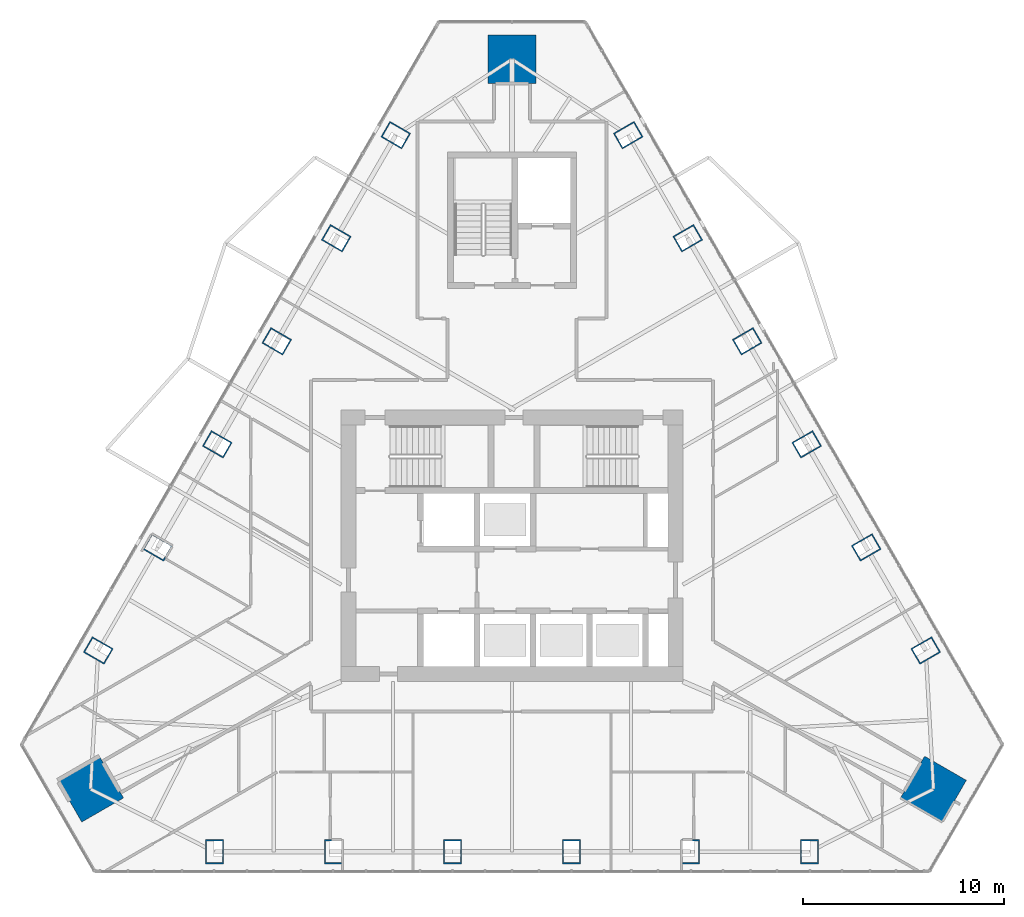
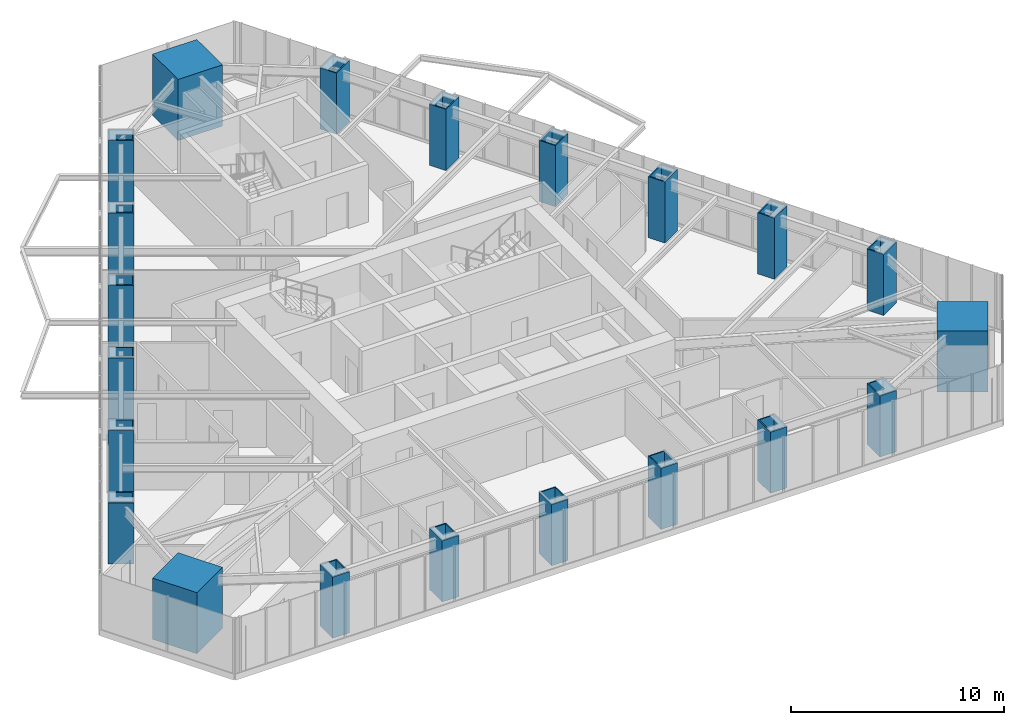
# One storey, part 1 of 19: 21 columns.
"""IFC4 building model written with IfcOpenShell, lengths in metres."""

from ifc_helpers import new_model, si_unit, direction, frame, origin, origin_2d, place, context, subcontext, project, spatial, rectangle, hollow_rectangle, extrude, material, material_profile, profile_set, type_object, element, save


model = new_model("IFC4")

# Units and contexts
model_context = context("Model", 3, precision=1e-05, world=origin(), true_north=direction((0.0, 1.0)))
body_context = subcontext(model_context, "Body", "Model", "MODEL_VIEW")
ifc_project = project(units=[si_unit("LENGTHUNIT", "METRE"), si_unit("AREAUNIT", "SQUARE_METRE"), si_unit("VOLUMEUNIT", "CUBIC_METRE"), si_unit("PLANEANGLEUNIT", "RADIAN"), si_unit("MASSUNIT", "GRAM", prefix="KILO")], contexts=[model_context])

# Site, building, storey
site_placement = place(None, origin())
site = spatial("IfcSite", under=ifc_project, at=site_placement, CompositionType="ELEMENT")
building_placement = place(site_placement, origin())
building = spatial("IfcBuilding", under=site, at=building_placement, Name="Firuza Gate Tower and Library", CompositionType="ELEMENT")
storey_placement = place(building_placement, frame((0.0, 0.0, 316.10009765625)))
storey = spatial("IfcBuildingStorey", under=building, at=storey_placement, Name="L77", CompositionType="ELEMENT", Elevation=316.10009765625)

# Columns
ifc_material_1 = material(Name="Steel S355", Category="steel")
ifc_material_profile_1 = material_profile(ifc_material_1, hollow_rectangle(XDim=0.89990234375, YDim=1.199951171875, WallThickness=0.06005859375, at=origin_2d()))
ifc_profile_set_1 = profile_set([ifc_material_profile_1], Name="Steel S355")
column_type_1 = type_object("IfcColumnType", Name="BU1200x900x60 Composite box column", PredefinedType="COLUMN", material=ifc_profile_set_1)
for number, where, z_axis, x_axis, name in (
    (1, (60.199951171875, 59.7802734375, -0.00048828125), (0.0, 0.0, 1.0), (1.0, 0.0, 0.0), "Column S1 L77"),
    (2, (66.1201171875, 59.7802734375, -0.00048828125), (0.0, 0.0, 1.0), (1.0, 0.0, 0.0), "Column S2 L77"),
    (3, (72.0400390625, 59.7802734375, -0.00048828125), (0.0, 0.0, 1.0), (1.0, 0.0, 0.0), "Column S3 L77"),
    (4, (77.9599609375, 59.7802734375, -0.00048828125), (0.0, 0.0, 1.0), (1.0, 0.0, 0.0), "Column S4 L77"),
    (5, (83.8798828125, 59.7802734375, -0.00048828125), (0.0, 0.0, 1.0), (1.0, 0.0, 0.0), "Column S5 L77"),
    (6, (89.800048828125, 59.7802734375, -0.00048828125), (0.0, 0.0, 1.0), (1.0, 0.0, 0.0), "Column S6 L77"),
    (7, (95.58056640625, 69.792724609375, -0.00048828125), (0.0, 0.0, 1.0), (-0.5, 0.866025403784, 0.0), "Column E1 L77"),
    (8, (92.62060546875, 74.91943359375, -0.00048828125), (0.0, 0.0, 1.0), (-0.5, 0.866025403784, 0.0), "Column E2 L77"),
    (9, (89.66064453125, 80.04638671875, -0.00048828125), (0.0, 0.0, 1.0), (-0.5, 0.866025403784, 0.0), "Column E3 L77"),
    (10, (86.70068359375, 85.17333984375, -0.00048828125), (0.0, 0.0, 1.0), (-0.5, 0.866025403784, 0.0), "Column E4 L77"),
    (11, (83.740478515625, 90.300048828125, -0.00048828125), (0.0, 0.0, 1.0), (-0.5, 0.866025403784, 0.0), "Column E5 L77"),
    (12, (80.780517578125, 95.427001953125, -0.00048828125), (0.0, 0.0, 1.0), (-0.5, 0.866025403784, 0.0), "Column E6 L77"),
    (13, (69.219482421875, 95.427001953125, -0.00048828125), (0.0, 0.0, 1.0), (-0.5, -0.866025403784, 0.0), "Column W1 L77"),
    (14, (66.259521484375, 90.300048828125, -0.00048828125), (0.0, 0.0, 1.0), (-0.5, -0.866025403784, 0.0), "Column W2 L77"),
    (15, (63.29931640625, 85.17333984375, -0.00048828125), (0.0, 0.0, 1.0), (-0.5, -0.866025403784, 0.0), "Column W3 L77"),
    (16, (60.33935546875, 80.04638671875, -0.00048828125), (0.0, 0.0, 1.0), (-0.5, -0.866025403784, 0.0), "Column W4 L77"),
    (17, (57.37939453125, 74.91943359375, -0.00048828125), (0.0, 0.0, 1.0), (-0.5, -0.866025403784, 0.0), "Column W5 L77"),
    (18, (54.41943359375, 69.792724609375, -0.00048828125), (0.0, 0.0, 1.0), (-0.5, -0.866025403784, 0.0), "Column W6 L77"),
):
    element("IfcColumn", number, at=place(storey_placement, frame(where, z_axis=z_axis, x_axis=x_axis)), inside=storey, type_object=column_type_1, Name=name, PredefinedType="COLUMN", context=body_context, shape_type="SweptSolid", body=[
        extrude(hollow_rectangle(XDim=0.89990234375, YDim=1.199951171875, WallThickness=0.06005859375, at=origin_2d()), origin(), (0.0, 0.0, 1.0), 3.50048828125),
    ])
ifc_material_2 = material(Name="Concrete C80/95", Category="concrete")
ifc_material_profile_2 = material_profile(ifc_material_2, rectangle(XDim=2.39990234375, YDim=2.39990234375, at=origin_2d()))
ifc_profile_set_2 = profile_set([ifc_material_profile_2], Name="Concrete C80/95")
column_type_2 = type_object("IfcColumnType", Name="Mega column 2400x2400 C80/95", PredefinedType="COLUMN", material=ifc_profile_set_2)
for number, where, z_axis, x_axis, name in (
    (19, (95.961181640625, 62.898193359375, 0.0), (0.0, 0.0, 1.0), (0.5, 0.866025403784, 0.0), "Mega column SE L77"),
    (20, (75.0, 99.203857421875, 0.0), (0.0, 0.0, 1.0), (-1.0, 0.0, 0.0), "Mega column N L77"),
    (21, (54.038818359375, 62.898193359375, 0.0), (0.0, 0.0, 1.0), (0.5, -0.866025403784, 0.0), "Mega column SW L77"),
):
    element("IfcColumn", number, at=place(storey_placement, frame(where, z_axis=z_axis, x_axis=x_axis)), inside=storey, type_object=column_type_2, Name=name, PredefinedType="COLUMN", context=body_context, shape_type="SweptSolid", body=[
        extrude(rectangle(XDim=2.39990234375, YDim=2.39990234375, at=origin_2d()), origin(), (0.0, 0.0, 1.0), 3.5),
    ])

save(model, "model.ifc")
